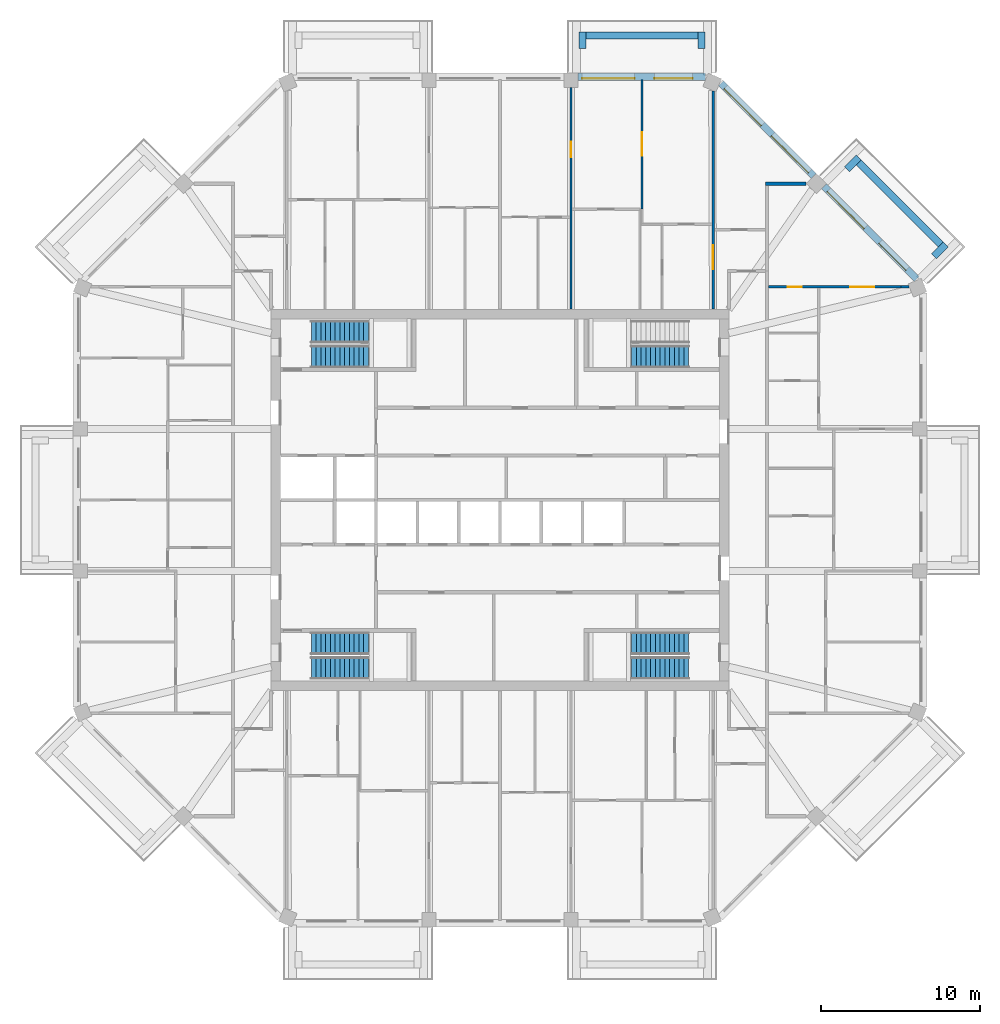
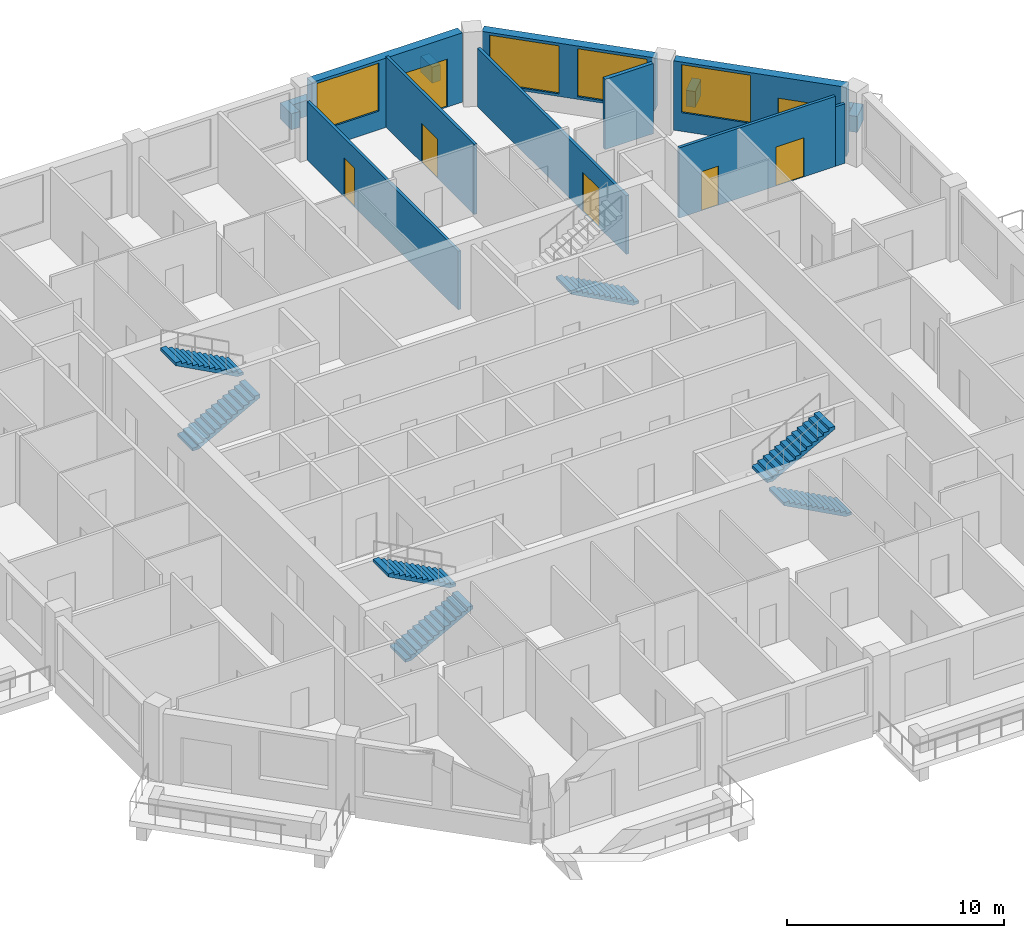
# One storey, part 10 of 13: 15 walls, 7 doors, 7 stair flights, 4 windows, 11 openings, 4 elements without a shape of their own.
"""IFC4 building model written with IfcOpenShell, lengths in metres."""

from ifc_helpers import new_model, si_unit, direction, frame, frame_2d, origin, place, context, subcontext, project, spatial, polyline, rectangle, outline, extrude, material, layer, layer_set, type_object, element, fill, aggregate, save


model = new_model("IFC4")

# Units and contexts
model_context = context("Model", 3, precision=1e-05, world=origin(), true_north=direction((0.0, 1.0)))
body_context = subcontext(model_context, "Body", "Model", "MODEL_VIEW")
ifc_project = project(units=[si_unit("LENGTHUNIT", "METRE"), si_unit("AREAUNIT", "SQUARE_METRE"), si_unit("VOLUMEUNIT", "CUBIC_METRE"), si_unit("PLANEANGLEUNIT", "RADIAN"), si_unit("MASSUNIT", "GRAM", prefix="KILO")], contexts=[model_context])

# Site, building, storey
site_placement = place(None, origin())
site = spatial("IfcSite", under=ifc_project, at=site_placement, CompositionType="ELEMENT")
building_placement = place(site_placement, origin())
building = spatial("IfcBuilding", under=site, at=building_placement, Name="Msitu Wima Residences", CompositionType="ELEMENT")
storey_placement = place(building_placement, frame((0.0, 0.0, 289.5)))
storey = spatial("IfcBuildingStorey", under=building, at=storey_placement, Name="L67", CompositionType="ELEMENT", Elevation=289.5)

# Walls
ifc_material_1 = material(Name="Facing brick")
ifc_layer_1 = layer(ifc_material_1, 0.06494140625, Name="Facing brick")
ifc_material_2 = material(Name="Concrete C40/50", Category="concrete")
ifc_layer_2 = layer(ifc_material_2, 0.156005859375, Name="Concrete C40/50")
ifc_material_3 = material(Name="Waterproofing membrane")
ifc_layer_3 = layer(ifc_material_3, 0.00390625, Name="Waterproofing membrane")
ifc_material_4 = material(Name="Planting soil and planting")
ifc_layer_4 = layer(ifc_material_4, 0.22509765625, Name="Planting soil and planting")
ifc_layer_set_1 = layer_set([ifc_layer_1, ifc_layer_2, ifc_layer_3, ifc_layer_4], Name="Concrete C40/50")
wall_type_1 = type_object("IfcWallType", Name="Balcony planter PLANTER PL450", PredefinedType="USERDEFINED", material=ifc_layer_set_1)
wall_1_placement = place(storey_placement, frame((27.725830078125, 16.0751953125, 0.0), z_axis=(0.0, 0.0, 1.0), x_axis=(-0.707106781187, 0.707106781187, 0.0)))
element("IfcWall", 1, at=wall_1_placement, inside=storey, type_object=wall_type_1, Name="Balcony planter NE0 L67", ObjectType="PLANTER", PredefinedType="USERDEFINED", context=body_context, shape_type="SweptSolid", body=[
    extrude(rectangle(XDim=7.288330078125, YDim=0.449951171875, at=frame_2d((3.64404296875, 0.0))), origin(), (0.0, 0.0, 1.0), 0.89990234375),
])
for number, where, z_axis, x_axis, name in (
    (2, (27.301513671875, 15.332763671875, 0.0), (0.0, 0.0, 1.0), (0.707106781187, 0.707106781187, 0.0), "Balcony planter NE0 L67"),
    (3, (21.829833984375, 20.804443359375, 0.0), (0.0, 0.0, 1.0), (0.707106781187, 0.707106781187, 0.0), "Balcony planter NE0 L67"),
):
    element("IfcWall", number, at=place(storey_placement, frame(where, z_axis=z_axis, x_axis=x_axis)), inside=storey, type_object=wall_type_1, Name=name, ObjectType="PLANTER", PredefinedType="USERDEFINED", context=body_context, shape_type="SweptSolid", body=[
        extrude(rectangle(XDim=1.050048828125, YDim=0.449951171875, at=frame_2d((0.52490234375, 0.0))), origin(), (0.0, 0.0, 1.0), 0.89990234375),
    ])
wall_2_placement = place(storey_placement, frame((12.455810546875, 29.22509765625, 0.0), z_axis=(0.0, 0.0, 1.0), x_axis=(-1.0, 0.0, 0.0)))
element("IfcWall", 4, at=wall_2_placement, inside=storey, type_object=wall_type_1, Name="Balcony planter N0 L67", ObjectType="PLANTER", PredefinedType="USERDEFINED", context=body_context, shape_type="SweptSolid", body=[
    extrude(rectangle(XDim=7.037109375, YDim=0.449951171875, at=frame_2d((3.5185546875, 0.0))), origin(), (0.0, 0.0, 1.0), 0.89990234375),
])
for number, where, z_axis, x_axis, name in (
    (5, (12.680908203125, 28.39990234375, 0.0), (0.0, 0.0, 1.0), (0.0, 1.0, 0.0), "Balcony planter N0 L67"),
    (6, (5.193603515625, 28.39990234375, 0.0), (0.0, 0.0, 1.0), (0.0, 1.0, 0.0), "Balcony planter N0 L67"),
):
    element("IfcWall", number, at=place(storey_placement, frame(where, z_axis=z_axis, x_axis=x_axis)), inside=storey, type_object=wall_type_1, Name=name, ObjectType="PLANTER", PredefinedType="USERDEFINED", context=body_context, shape_type="SweptSolid", body=[
        extrude(rectangle(XDim=1.050048828125, YDim=0.449951171875, at=frame_2d((0.52490234375, 0.0))), origin(), (0.0, 0.0, 1.0), 0.89990234375),
    ])

# Wall, openings, door, window
ifc_material_5 = material(Name="Brick (red buff mix)", Category="masonry")
ifc_layer_5 = layer(ifc_material_5, 0.449951171875)
ifc_layer_set_2 = layer_set([ifc_layer_5], Name="Brick (red buff mix)")
wall_type_2 = type_object("IfcWallType", Name="Brick infill wall BW450", PredefinedType="SOLIDWALL", material=ifc_layer_set_2)
wall_3_placement = place(storey_placement, frame((26.214599609375, 13.909423828125, 0.0), z_axis=(0.0, 0.0, 1.0), x_axis=(-0.707106781187, 0.707106781187, 0.0)))
wall_3 = element("IfcWall", 7, at=wall_3_placement, inside=storey, type_object=wall_type_2, Name="Brick infill wall L67 NE0", PredefinedType="SOLIDWALL", context=body_context, shape_type="SweptSolid", body=[
    extrude(rectangle(XDim=8.251220703125, YDim=0.449951171875, at=frame_2d((4.12548828125, 0.0))), origin(), (0.0, 0.0, 1.0), 3.89990234375),
])
opening_1_placement = place(wall_3_placement, frame((0.86279296875, 0.0, 0.0)))
opening_1 = element("IfcOpeningElement", 8, at=opening_1_placement, cuts=wall_3, Name="Opening D65-67.004", PredefinedType="OPENING", context=body_context, shape_type="SweptSolid", body=[
    extrude(rectangle(XDim=2.39990234375, YDim=2.699951171875, at=frame_2d((1.199951171875, 1.35009765625))), frame((0.0, 0.23486328125, 0.0), z_axis=(0.0, -1.0, 0.0), x_axis=(1.0, 0.0, 0.0)), (0.0, 0.0, 1.0), 0.469970703125),
])
opening_2_placement = place(wall_3_placement, frame((4.57568359375, 0.0, 1.050048828125)))
opening_2 = element("IfcOpeningElement", 9, at=opening_2_placement, cuts=wall_3, Name="Opening W65-67.010", PredefinedType="OPENING", context=body_context, shape_type="SweptSolid", body=[
    extrude(rectangle(XDim=3.300048828125, YDim=2.699951171875, at=frame_2d((1.64990234375, 1.35009765625))), frame((0.0, 0.23486328125, 0.0), z_axis=(0.0, -1.0, 0.0), x_axis=(1.0, 0.0, 0.0)), (0.0, 0.0, 1.0), 0.469970703125),
])
ifc_material_6 = material(Name="Anodised aluminium, bronze finish, clear low-emissivity double glazing", Category="aluminium")
door_type_1 = type_object("IfcDoorType", Name="Balcony door D2400x2700", OperationType="SLIDING_TO_LEFT", PredefinedType="DOOR", material=ifc_material_6)
door_1_placement = place(opening_1_placement, origin())
door_1 = element("IfcDoor", 10, at=door_1_placement, inside=storey, type_object=door_type_1, Name="Balcony door L67 NE0", OperationType="SINGLE_SWING_LEFT", OverallHeight=2.699951171875, OverallWidth=2.39990234375, PredefinedType="DOOR", context=body_context, shape_type="SweptSolid", body=[
    extrude(rectangle(XDim=2.39990234375, YDim=2.699951171875, at=frame_2d((1.199951171875, 1.35009765625))), frame((0.0, 0.1298828125, 0.0), z_axis=(0.0, -1.0, 0.0), x_axis=(1.0, 0.0, 0.0)), (0.0, 0.0, 1.0), 0.050048828125),
])
fill(opening_1, door_1)
window_type = type_object("IfcWindowType", Name="Window W3300x2700", PartitioningType="DOUBLE_PANEL_VERTICAL", PredefinedType="WINDOW", material=ifc_material_6)
window_1_placement = place(opening_2_placement, origin())
window_1 = element("IfcWindow", 11, at=window_1_placement, inside=storey, type_object=window_type, Name="Window L67 NE0.2", OverallHeight=2.699951171875, OverallWidth=3.300048828125, PartitioningType="SINGLE_PANEL", PredefinedType="WINDOW", context=body_context, shape_type="SweptSolid", body=[
    extrude(rectangle(XDim=3.300048828125, YDim=2.699951171875, at=frame_2d((1.64990234375, 1.35009765625))), frame((0.0, 0.135009765625, 0.0), z_axis=(0.0, -1.0, 0.0), x_axis=(1.0, 0.0, 0.0)), (0.0, 0.0, 1.0), 0.06005859375),
])
fill(opening_2, window_1)

# Wall, openings, windows
wall_4_placement = place(storey_placement, frame((19.743896484375, 20.380126953125, 0.89990234375), z_axis=(0.0, 0.0, 1.0), x_axis=(-0.707106781187, 0.707106781187, 0.0)))
wall_4 = element("IfcWall", 12, at=wall_4_placement, inside=storey, type_object=wall_type_2, Name="Brick infill wall L67 NE1", PredefinedType="SOLIDWALL", context=body_context, shape_type="SweptSolid", body=[
    extrude(rectangle(XDim=8.251220703125, YDim=0.449951171875, at=frame_2d((4.12548828125, 0.0))), origin(), (0.0, 0.0, 1.0), 3.0),
])
opening_3_placement = place(wall_4_placement, frame((0.37548828125, 0.0, 0.14990234375)))
opening_3 = element("IfcOpeningElement", 13, at=opening_3_placement, cuts=wall_4, Name="Opening W65-67.011", PredefinedType="OPENING", context=body_context, shape_type="SweptSolid", body=[
    extrude(rectangle(XDim=3.300048828125, YDim=2.699951171875, at=frame_2d((1.64990234375, 1.35009765625))), frame((0.0, 0.23486328125, 0.0), z_axis=(0.0, -1.0, 0.0), x_axis=(1.0, 0.0, 0.0)), (0.0, 0.0, 1.0), 0.469970703125),
])
opening_4_placement = place(wall_4_placement, frame((4.57568359375, 0.0, 0.14990234375)))
opening_4 = element("IfcOpeningElement", 14, at=opening_4_placement, cuts=wall_4, Name="Opening W65-67.012", PredefinedType="OPENING", context=body_context, shape_type="SweptSolid", body=[
    extrude(rectangle(XDim=3.300048828125, YDim=2.699951171875, at=frame_2d((1.64990234375, 1.35009765625))), frame((0.0, 0.23486328125, 0.0), z_axis=(0.0, -1.0, 0.0), x_axis=(1.0, 0.0, 0.0)), (0.0, 0.0, 1.0), 0.469970703125),
])
window_2_placement = place(opening_3_placement, origin())
window_2 = element("IfcWindow", 15, at=window_2_placement, inside=storey, type_object=window_type, Name="Window L67 NE1.1", OverallHeight=2.699951171875, OverallWidth=3.300048828125, PartitioningType="SINGLE_PANEL", PredefinedType="WINDOW", context=body_context, shape_type="SweptSolid", body=[
    extrude(rectangle(XDim=3.300048828125, YDim=2.699951171875, at=frame_2d((1.64990234375, 1.35009765625))), frame((0.0, 0.135009765625, 0.0), z_axis=(0.0, -1.0, 0.0), x_axis=(1.0, 0.0, 0.0)), (0.0, 0.0, 1.0), 0.06005859375),
])
fill(opening_3, window_2)
window_3_placement = place(opening_4_placement, origin())
window_3 = element("IfcWindow", 16, at=window_3_placement, inside=storey, type_object=window_type, Name="Window L67 NE1.2", OverallHeight=2.699951171875, OverallWidth=3.300048828125, PartitioningType="SINGLE_PANEL", PredefinedType="WINDOW", context=body_context, shape_type="SweptSolid", body=[
    extrude(rectangle(XDim=3.300048828125, YDim=2.699951171875, at=frame_2d((1.64990234375, 1.35009765625))), frame((0.0, 0.135009765625, 0.0), z_axis=(0.0, -1.0, 0.0), x_axis=(1.0, 0.0, 0.0)), (0.0, 0.0, 1.0), 0.06005859375),
])
fill(opening_4, window_3)

# Wall, openings, door, window
wall_5_placement = place(storey_placement, frame((12.918701171875, 26.625, 0.0), z_axis=(0.0, 0.0, 1.0), x_axis=(-1.0, 0.0, 0.0)))
wall_5 = element("IfcWall", 17, at=wall_5_placement, inside=storey, type_object=wall_type_2, Name="Brick infill wall L67 N0", PredefinedType="SOLIDWALL", context=body_context, shape_type="SweptSolid", body=[
    extrude(rectangle(XDim=8.0, YDim=0.449951171875, at=frame_2d((4.0, 0.0))), origin(), (0.0, 0.0, 1.0), 3.89990234375),
])
opening_5_placement = place(wall_5_placement, frame((0.800048828125, 0.0, 0.0)))
opening_5 = element("IfcOpeningElement", 18, at=opening_5_placement, cuts=wall_5, Name="Opening D65-67.002", PredefinedType="OPENING", context=body_context, shape_type="SweptSolid", body=[
    extrude(rectangle(XDim=2.39990234375, YDim=2.699951171875, at=frame_2d((1.199951171875, 1.35009765625))), frame((0.0, 0.23486328125, 0.0), z_axis=(0.0, -1.0, 0.0), x_axis=(1.0, 0.0, 0.0)), (0.0, 0.0, 1.0), 0.469970703125),
])
opening_6_placement = place(wall_5_placement, frame((4.4501953125, 0.0, 1.050048828125)))
opening_6 = element("IfcOpeningElement", 19, at=opening_6_placement, cuts=wall_5, Name="Opening W65-67.006", PredefinedType="OPENING", context=body_context, shape_type="SweptSolid", body=[
    extrude(rectangle(XDim=3.300048828125, YDim=2.699951171875, at=frame_2d((1.64990234375, 1.35009765625))), frame((0.0, 0.23486328125, 0.0), z_axis=(0.0, -1.0, 0.0), x_axis=(1.0, 0.0, 0.0)), (0.0, 0.0, 1.0), 0.469970703125),
])
door_2_placement = place(opening_5_placement, origin())
door_2 = element("IfcDoor", 20, at=door_2_placement, inside=storey, type_object=door_type_1, Name="Balcony door L67 N0", OperationType="SINGLE_SWING_LEFT", OverallHeight=2.699951171875, OverallWidth=2.39990234375, PredefinedType="DOOR", context=body_context, shape_type="SweptSolid", body=[
    extrude(rectangle(XDim=2.39990234375, YDim=2.699951171875, at=frame_2d((1.199951171875, 1.35009765625))), frame((0.0, 0.1298828125, 0.0), z_axis=(0.0, -1.0, 0.0), x_axis=(1.0, 0.0, 0.0)), (0.0, 0.0, 1.0), 0.050048828125),
])
fill(opening_5, door_2)
window_4_placement = place(opening_6_placement, origin())
window_4 = element("IfcWindow", 21, at=window_4_placement, inside=storey, type_object=window_type, Name="Window L67 N0.2", OverallHeight=2.699951171875, OverallWidth=3.300048828125, PartitioningType="SINGLE_PANEL", PredefinedType="WINDOW", context=body_context, shape_type="SweptSolid", body=[
    extrude(rectangle(XDim=3.300048828125, YDim=2.699951171875, at=frame_2d((1.64990234375, 1.35009765625))), frame((0.0, 0.135009765625, 0.0), z_axis=(0.0, -1.0, 0.0), x_axis=(1.0, 0.0, 0.0)), (0.0, 0.0, 1.0), 0.06005859375),
])
fill(opening_6, window_4)

# Wall, opening, door
ifc_material_7 = material(Name="Plaster")
ifc_layer_6 = layer(ifc_material_7, 0.011962890625, Name="Plaster")
ifc_material_8 = material(Name="Concrete blockwork", Category="masonry")
ifc_layer_7 = layer(ifc_material_8, 0.1259765625, Name="Concrete blockwork")
ifc_layer_8 = layer(ifc_material_7, 0.011962890625, Name="Plaster")
ifc_layer_set_3 = layer_set([ifc_layer_6, ifc_layer_7, ifc_layer_8], Name="Concrete blockwork")
wall_type_3 = type_object("IfcWallType", Name="Partition PW150", PredefinedType="PARTITIONING", material=ifc_layer_set_3)
wall_6_placement = place(storey_placement, frame((4.46875, 12.030029296875, 0.0), z_axis=(0.0, 0.0, 1.0), x_axis=(0.0, 1.0, 0.0)))
wall_6 = element("IfcWall", 22, at=wall_6_placement, inside=storey, type_object=wall_type_3, Name="Partition", PredefinedType="PARTITIONING", context=body_context, shape_type="SweptSolid", body=[
    extrude(rectangle(XDim=13.919921875, YDim=0.14990234375, at=frame_2d((6.9599609375, 0.0))), origin(), (0.0, 0.0, 1.0), 3.300048828125),
])
opening_7_placement = place(wall_6_placement, frame((9.550048828125, 0.0, 0.0)))
opening_7 = element("IfcOpeningElement", 23, at=opening_7_placement, cuts=wall_6, Name="Opening D65-67.029", PredefinedType="OPENING", context=body_context, shape_type="SweptSolid", body=[
    extrude(rectangle(XDim=0.949951171875, YDim=2.199951171875, at=frame_2d((0.47509765625, 1.10009765625))), frame((0.0, 0.0849609375, 0.0), z_axis=(0.0, -1.0, 0.0), x_axis=(1.0, 0.0, 0.0)), (0.0, 0.0, 1.0), 0.169921875),
])
ifc_material_9 = material(Name="Timber flush door", Category="wood")
door_type_2 = type_object("IfcDoorType", Name="Room door D12 950x2200", OperationType="SINGLE_SWING_LEFT", PredefinedType="DOOR", material=ifc_material_9)
door_3_placement = place(opening_7_placement, origin())
door_3 = element("IfcDoor", 24, at=door_3_placement, inside=storey, type_object=door_type_2, Name="Room door", OperationType="SINGLE_SWING_RIGHT", OverallHeight=2.199951171875, OverallWidth=0.949951171875, PredefinedType="DOOR", context=body_context, shape_type="SweptSolid", body=[
    extrude(rectangle(XDim=0.949951171875, YDim=2.199951171875, at=frame_2d((0.47509765625, 1.10009765625))), frame((0.0, 0.02490234375, 0.0), z_axis=(0.0, -1.0, 0.0), x_axis=(1.0, 0.0, 0.0)), (0.0, 0.0, 1.0), 0.050048828125),
])
fill(opening_7, door_3)

wall_7_placement = place(storey_placement, frame((8.937255859375, 18.300048828125, 0.0), z_axis=(0.0, 0.0, 1.0), x_axis=(0.0, 1.0, 0.0)))
wall_7 = element("IfcWall", 25, at=wall_7_placement, inside=storey, type_object=wall_type_3, Name="Partition", PredefinedType="PARTITIONING", context=body_context, shape_type="SweptSolid", body=[
    extrude(rectangle(XDim=8.155029296875, YDim=0.14990234375, at=frame_2d((4.07763671875, 0.0))), origin(), (0.0, 0.0, 1.0), 3.949951171875),
])
opening_8_placement = place(wall_7_placement, frame((3.35009765625, 0.0, 0.0)))
opening_8 = element("IfcOpeningElement", 26, at=opening_8_placement, cuts=wall_7, Name="Opening D65-67.027", PredefinedType="OPENING", context=body_context, shape_type="SweptSolid", body=[
    extrude(rectangle(XDim=1.5, YDim=2.199951171875, at=frame_2d((0.75, 1.10009765625))), frame((0.0, 0.0849609375, 0.0), z_axis=(0.0, -1.0, 0.0), x_axis=(1.0, 0.0, 0.0)), (0.0, 0.0, 1.0), 0.169921875),
])
ifc_material_10 = material(Name="Timber double door", Category="wood")
door_type_3 = type_object("IfcDoorType", Name="Double door D04 1500x2200", OperationType="DOUBLE_DOOR_SINGLE_SWING", PredefinedType="DOOR", material=ifc_material_10)
door_4_placement = place(opening_8_placement, origin())
door_4 = element("IfcDoor", 27, at=door_4_placement, inside=storey, type_object=door_type_3, Name="Double door", OperationType="DOUBLE_DOOR_SINGLE_SWING", OverallHeight=2.199951171875, OverallWidth=1.5, PredefinedType="DOOR", context=body_context, shape_type="SweptSolid", body=[
    extrude(rectangle(XDim=1.5, YDim=2.199951171875, at=frame_2d((0.75, 1.10009765625))), frame((0.0, 0.02490234375, 0.0), z_axis=(0.0, -1.0, 0.0), x_axis=(1.0, 0.0, 0.0)), (0.0, 0.0, 1.0), 0.050048828125),
])
fill(opening_8, door_4)

wall_8_placement = place(storey_placement, frame((13.406005859375, 12.030029296875, 0.0), z_axis=(0.0, 0.0, 1.0), x_axis=(0.0, 1.0, 0.0)))
wall_8 = element("IfcWall", 28, at=wall_8_placement, inside=storey, type_object=wall_type_3, Name="Partition", PredefinedType="PARTITIONING", context=body_context, shape_type="SweptSolid", body=[
    extrude(rectangle(XDim=13.701171875, YDim=0.14990234375, at=frame_2d((6.8505859375, 0.0))), origin(), (0.0, 0.0, 1.0), 3.300048828125),
])
opening_9_placement = place(wall_8_placement, frame((2.5, 0.0, 0.0)))
opening_9 = element("IfcOpeningElement", 29, at=opening_9_placement, cuts=wall_8, Name="Opening D65-67.023", PredefinedType="OPENING", context=body_context, shape_type="SweptSolid", body=[
    extrude(rectangle(XDim=1.5, YDim=2.199951171875, at=frame_2d((0.75, 1.10009765625))), frame((0.0, 0.0849609375, 0.0), z_axis=(0.0, -1.0, 0.0), x_axis=(1.0, 0.0, 0.0)), (0.0, 0.0, 1.0), 0.169921875),
])
door_5_placement = place(opening_9_placement, origin())
door_5 = element("IfcDoor", 30, at=door_5_placement, inside=storey, type_object=door_type_3, Name="Double door", OperationType="DOUBLE_DOOR_SINGLE_SWING", OverallHeight=2.199951171875, OverallWidth=1.5, PredefinedType="DOOR", context=body_context, shape_type="SweptSolid", body=[
    extrude(rectangle(XDim=1.5, YDim=2.199951171875, at=frame_2d((0.75, 1.10009765625))), frame((0.0, 0.02490234375, 0.0), z_axis=(0.0, -1.0, 0.0), x_axis=(1.0, 0.0, 0.0)), (0.0, 0.0, 1.0), 0.050048828125),
])
fill(opening_9, door_5)

# Wall, openings, doors
wall_9_placement = place(storey_placement, frame((16.89990234375, 13.406005859375, 0.0), z_axis=(0.0, 0.0, 1.0), x_axis=(1.0, 0.0, 0.0)))
wall_9 = element("IfcWall", 31, at=wall_9_placement, inside=storey, type_object=wall_type_3, Name="Partition", PredefinedType="PARTITIONING", context=body_context, shape_type="SweptSolid", body=[
    extrude(rectangle(XDim=8.32421875, YDim=0.14990234375, at=frame_2d((4.162109375, 0.0))), origin(), (0.0, 0.0, 1.0), 3.949951171875),
])
opening_10_placement = place(wall_9_placement, frame((5.14990234375, 0.0, 0.0)))
opening_10 = element("IfcOpeningElement", 32, at=opening_10_placement, cuts=wall_9, Name="Opening D65-67.019", PredefinedType="OPENING", context=body_context, shape_type="SweptSolid", body=[
    extrude(rectangle(XDim=1.5, YDim=2.199951171875, at=frame_2d((0.75, 1.10009765625))), frame((0.0, 0.0849609375, 0.0), z_axis=(0.0, -1.0, 0.0), x_axis=(1.0, 0.0, 0.0)), (0.0, 0.0, 1.0), 0.169921875),
])
opening_11_placement = place(wall_9_placement, frame((1.199951171875, 0.0, 0.0)))
opening_11 = element("IfcOpeningElement", 33, at=opening_11_placement, cuts=wall_9, Name="Opening D65-67.013", PredefinedType="OPENING", context=body_context, shape_type="SweptSolid", body=[
    extrude(rectangle(XDim=0.89990234375, YDim=2.199951171875, at=frame_2d((0.449951171875, 1.10009765625))), frame((0.0, 0.0849609375, 0.0), z_axis=(0.0, -1.0, 0.0), x_axis=(1.0, 0.0, 0.0)), (0.0, 0.0, 1.0), 0.169921875),
])
door_6_placement = place(opening_10_placement, origin())
door_6 = element("IfcDoor", 34, at=door_6_placement, inside=storey, type_object=door_type_3, Name="Double door", OperationType="DOUBLE_DOOR_SINGLE_SWING", OverallHeight=2.199951171875, OverallWidth=1.5, PredefinedType="DOOR", context=body_context, shape_type="SweptSolid", body=[
    extrude(rectangle(XDim=1.5, YDim=2.199951171875, at=frame_2d((0.75, 1.10009765625))), frame((0.0, 0.02490234375, 0.0), z_axis=(0.0, -1.0, 0.0), x_axis=(1.0, 0.0, 0.0)), (0.0, 0.0, 1.0), 0.050048828125),
])
fill(opening_10, door_6)
door_type_4 = type_object("IfcDoorType", Name="Service door D05 900x2200", OperationType="SINGLE_SWING_LEFT", PredefinedType="DOOR", material=ifc_material_9)
door_7_placement = place(opening_11_placement, origin())
door_7 = element("IfcDoor", 35, at=door_7_placement, inside=storey, type_object=door_type_4, Name="Service door", OperationType="SINGLE_SWING_LEFT", OverallHeight=2.199951171875, OverallWidth=0.89990234375, PredefinedType="DOOR", context=body_context, shape_type="SweptSolid", body=[
    extrude(rectangle(XDim=0.89990234375, YDim=2.199951171875, at=frame_2d((0.449951171875, 1.10009765625))), frame((0.0, 0.02490234375, 0.0), z_axis=(0.0, -1.0, 0.0), x_axis=(1.0, 0.0, 0.0)), (0.0, 0.0, 1.0), 0.050048828125),
])
fill(opening_11, door_7)

# Walls
wall_10_placement = place(storey_placement, frame((25.22412109375, 13.406005859375, 0.0), z_axis=(0.0, 0.0, 1.0), x_axis=(1.0, 0.0, 0.0)))
element("IfcWall", 36, at=wall_10_placement, inside=storey, type_object=wall_type_3, Name="Partition", PredefinedType="PARTITIONING", context=body_context, shape_type="SweptSolid", body=[
    extrude(rectangle(XDim=0.507080078125, YDim=0.14990234375, at=frame_2d((0.25341796875, 0.0))), origin(), (0.0, 0.0, 1.0), 3.35009765625),
])
ifc_layer_9 = layer(ifc_material_7, 0.011962890625, Name="Plaster")
ifc_material_11 = material(Name="Dense concrete blockwork", Category="masonry")
ifc_layer_10 = layer(ifc_material_11, 0.176025390625, Name="Dense concrete blockwork")
ifc_layer_11 = layer(ifc_material_7, 0.011962890625, Name="Plaster")
ifc_layer_set_4 = layer_set([ifc_layer_9, ifc_layer_10, ifc_layer_11], Name="Dense concrete blockwork")
wall_type_4 = type_object("IfcWallType", Name="Party wall PW200", PredefinedType="PARTITIONING", material=ifc_layer_set_4)
wall_11_placement = place(storey_placement, frame((16.699951171875, 19.90283203125, 0.0), z_axis=(0.0, 0.0, 1.0), x_axis=(1.0, 0.0, 0.0)))
element("IfcWall", 37, at=wall_11_placement, inside=storey, type_object=wall_type_4, Name="Party wall", PredefinedType="PARTITIONING", context=body_context, shape_type="SweptSolid", body=[
    extrude(rectangle(XDim=2.566650390625, YDim=0.199951171875, at=frame_2d((1.283203125, 0.0))), origin(), (0.0, 0.0, 1.0), 3.949951171875),
])

# Stair, stair flights
stair_type = type_object("IfcStairType", Name="Exit stair ES1615-140", PredefinedType="HALF_TURN_STAIR", material=ifc_material_2)
stair_1_placement = place(storey_placement, origin())
stair_1 = element("IfcStair", 38, at=stair_1_placement, inside=storey, type_object=stair_type, Name="Exit stair 1", PredefinedType="HALF_TURN_STAIR")
stair_flight_type = type_object("IfcStairFlightType", Name="Exit stair flight ES1615-140", PredefinedType="STRAIGHT", material=ifc_material_2)
stair_flight_1_placement = place(storey_placement, frame((-11.875, 9.02490234375, 0.0), z_axis=(0.0, 0.0, 1.0), x_axis=(1.0, 0.0, 0.0)))
stair_flight_1 = element("IfcStairFlight", 39, at=stair_flight_1_placement, type_object=stair_flight_type, Name="S1 flight 1", NumberOfRisers=13, NumberOfTreads=12, PredefinedType="STRAIGHT", RiserHeight=0.161538462, TreadLength=0.3, context=body_context, shape_type="SweptSolid", body=[
    extrude(outline(polyline([(0.0, 0.0), (0.0, 0.16162109375), (0.300048828125, 0.16162109375), (0.300048828125, 0.322998046875), (0.60009765625, 0.322998046875), (0.60009765625, 0.484619140625), (0.89990234375, 0.484619140625), (0.89990234375, 0.646240234375), (1.199951171875, 0.646240234375), (1.199951171875, 0.8076171875), (1.5, 0.8076171875), (1.5, 0.96923828125), (1.800048828125, 0.96923828125), (1.800048828125, 1.130859375), (2.10009765625, 1.130859375), (2.10009765625, 1.292236328125), (2.39990234375, 1.292236328125), (2.39990234375, 1.453857421875), (2.699951171875, 1.453857421875), (2.699951171875, 1.615478515625), (3.0, 1.615478515625), (3.0, 1.77685546875), (3.300048828125, 1.77685546875), (3.300048828125, 1.9384765625), (3.60009765625, 1.9384765625), (3.60009765625, 2.10009765625), (3.60009765625, 1.768310546875), (0.316162109375, 0.0), (0.0, 0.0)])), frame((0.0, 0.699951171875, 0.0), z_axis=(0.0, -1.0, 0.0), x_axis=(1.0, 0.0, 0.0)), (0.0, 0.0, 1.0), 1.39990234375),
])
stair_flight_2_placement = place(storey_placement, frame((-8.27490234375, 10.574951171875, 2.10009765625), z_axis=(0.0, 0.0, 1.0), x_axis=(-1.0, 0.0, 0.0)))
stair_flight_2 = element("IfcStairFlight", 40, at=stair_flight_2_placement, type_object=stair_flight_type, Name="S1 flight 2", NumberOfRisers=13, NumberOfTreads=12, PredefinedType="STRAIGHT", RiserHeight=0.161538462, TreadLength=0.3, context=body_context, shape_type="SweptSolid", body=[
    extrude(outline(polyline([(0.0, 0.0), (0.0, 0.16162109375), (0.300048828125, 0.16162109375), (0.300048828125, 0.322998046875), (0.60009765625, 0.322998046875), (0.60009765625, 0.484619140625), (0.89990234375, 0.484619140625), (0.89990234375, 0.646240234375), (1.199951171875, 0.646240234375), (1.199951171875, 0.8076171875), (1.5, 0.8076171875), (1.5, 0.96923828125), (1.800048828125, 0.96923828125), (1.800048828125, 1.130859375), (2.10009765625, 1.130859375), (2.10009765625, 1.292236328125), (2.39990234375, 1.292236328125), (2.39990234375, 1.453857421875), (2.699951171875, 1.453857421875), (2.699951171875, 1.615478515625), (3.0, 1.615478515625), (3.0, 1.77685546875), (3.300048828125, 1.77685546875), (3.300048828125, 1.9384765625), (3.60009765625, 1.9384765625), (3.60009765625, 2.10009765625), (3.60009765625, 1.768310546875), (0.316162109375, 0.0), (0.0, 0.0)])), frame((0.0, 0.699951171875, 0.0), z_axis=(0.0, -1.0, 0.0), x_axis=(1.0, 0.0, 0.0)), (0.0, 0.0, 1.0), 1.39990234375),
])
aggregate(stair_1, [stair_flight_1, stair_flight_2])

stair_2_placement = place(storey_placement, origin())
stair_2 = element("IfcStair", 41, at=stair_2_placement, inside=storey, type_object=stair_type, Name="Exit stair 2", PredefinedType="HALF_TURN_STAIR")
stair_flight_3_placement = place(storey_placement, frame((-11.875, -10.574951171875, 0.0), z_axis=(0.0, 0.0, 1.0), x_axis=(1.0, 0.0, 0.0)))
stair_flight_3 = element("IfcStairFlight", 42, at=stair_flight_3_placement, type_object=stair_flight_type, Name="S2 flight 1", NumberOfRisers=13, NumberOfTreads=12, PredefinedType="STRAIGHT", RiserHeight=0.161538462, TreadLength=0.3, context=body_context, shape_type="SweptSolid", body=[
    extrude(outline(polyline([(0.0, 0.0), (0.0, 0.16162109375), (0.300048828125, 0.16162109375), (0.300048828125, 0.322998046875), (0.60009765625, 0.322998046875), (0.60009765625, 0.484619140625), (0.89990234375, 0.484619140625), (0.89990234375, 0.646240234375), (1.199951171875, 0.646240234375), (1.199951171875, 0.8076171875), (1.5, 0.8076171875), (1.5, 0.96923828125), (1.800048828125, 0.96923828125), (1.800048828125, 1.130859375), (2.10009765625, 1.130859375), (2.10009765625, 1.292236328125), (2.39990234375, 1.292236328125), (2.39990234375, 1.453857421875), (2.699951171875, 1.453857421875), (2.699951171875, 1.615478515625), (3.0, 1.615478515625), (3.0, 1.77685546875), (3.300048828125, 1.77685546875), (3.300048828125, 1.9384765625), (3.60009765625, 1.9384765625), (3.60009765625, 2.10009765625), (3.60009765625, 1.768310546875), (0.316162109375, 0.0), (0.0, 0.0)])), frame((0.0, 0.699951171875, 0.0), z_axis=(0.0, -1.0, 0.0), x_axis=(1.0, 0.0, 0.0)), (0.0, 0.0, 1.0), 1.39990234375),
])
stair_flight_4_placement = place(storey_placement, frame((-8.27490234375, -9.02490234375, 2.10009765625), z_axis=(0.0, 0.0, 1.0), x_axis=(-1.0, 0.0, 0.0)))
stair_flight_4 = element("IfcStairFlight", 43, at=stair_flight_4_placement, type_object=stair_flight_type, Name="S2 flight 2", NumberOfRisers=13, NumberOfTreads=12, PredefinedType="STRAIGHT", RiserHeight=0.161538462, TreadLength=0.3, context=body_context, shape_type="SweptSolid", body=[
    extrude(outline(polyline([(0.0, 0.0), (0.0, 0.16162109375), (0.300048828125, 0.16162109375), (0.300048828125, 0.322998046875), (0.60009765625, 0.322998046875), (0.60009765625, 0.484619140625), (0.89990234375, 0.484619140625), (0.89990234375, 0.646240234375), (1.199951171875, 0.646240234375), (1.199951171875, 0.8076171875), (1.5, 0.8076171875), (1.5, 0.96923828125), (1.800048828125, 0.96923828125), (1.800048828125, 1.130859375), (2.10009765625, 1.130859375), (2.10009765625, 1.292236328125), (2.39990234375, 1.292236328125), (2.39990234375, 1.453857421875), (2.699951171875, 1.453857421875), (2.699951171875, 1.615478515625), (3.0, 1.615478515625), (3.0, 1.77685546875), (3.300048828125, 1.77685546875), (3.300048828125, 1.9384765625), (3.60009765625, 1.9384765625), (3.60009765625, 2.10009765625), (3.60009765625, 1.768310546875), (0.316162109375, 0.0), (0.0, 0.0)])), frame((0.0, 0.699951171875, 0.0), z_axis=(0.0, -1.0, 0.0), x_axis=(1.0, 0.0, 0.0)), (0.0, 0.0, 1.0), 1.39990234375),
])
aggregate(stair_2, [stair_flight_3, stair_flight_4])

# Stair, stair flight
stair_3_placement = place(storey_placement, origin())
stair_3 = element("IfcStair", 44, at=stair_3_placement, inside=storey, type_object=stair_type, Name="Exit stair 3", PredefinedType="HALF_TURN_STAIR")
stair_flight_5_placement = place(storey_placement, frame((11.875, 9.02490234375, 0.0), z_axis=(0.0, 0.0, 1.0), x_axis=(-1.0, 0.0, 0.0)))
stair_flight_5 = element("IfcStairFlight", 45, at=stair_flight_5_placement, type_object=stair_flight_type, Name="S3 flight 1", NumberOfRisers=13, NumberOfTreads=12, PredefinedType="STRAIGHT", RiserHeight=0.161538462, TreadLength=0.3, context=body_context, shape_type="SweptSolid", body=[
    extrude(outline(polyline([(0.0, 0.0), (0.0, 0.16162109375), (0.300048828125, 0.16162109375), (0.300048828125, 0.322998046875), (0.60009765625, 0.322998046875), (0.60009765625, 0.484619140625), (0.89990234375, 0.484619140625), (0.89990234375, 0.646240234375), (1.199951171875, 0.646240234375), (1.199951171875, 0.8076171875), (1.5, 0.8076171875), (1.5, 0.96923828125), (1.800048828125, 0.96923828125), (1.800048828125, 1.130859375), (2.10009765625, 1.130859375), (2.10009765625, 1.292236328125), (2.39990234375, 1.292236328125), (2.39990234375, 1.453857421875), (2.699951171875, 1.453857421875), (2.699951171875, 1.615478515625), (3.0, 1.615478515625), (3.0, 1.77685546875), (3.300048828125, 1.77685546875), (3.300048828125, 1.9384765625), (3.60009765625, 1.9384765625), (3.60009765625, 2.10009765625), (3.60009765625, 1.768310546875), (0.316162109375, 0.0), (0.0, 0.0)])), frame((0.0, 0.699951171875, 0.0), z_axis=(0.0, -1.0, 0.0), x_axis=(1.0, 0.0, 0.0)), (0.0, 0.0, 1.0), 1.39990234375),
])
aggregate(stair_3, [stair_flight_5])

# Stair, stair flights
stair_4_placement = place(storey_placement, origin())
stair_4 = element("IfcStair", 46, at=stair_4_placement, inside=storey, type_object=stair_type, Name="Exit stair 4", PredefinedType="HALF_TURN_STAIR")
stair_flight_6_placement = place(storey_placement, frame((11.875, -10.574951171875, 0.0), z_axis=(0.0, 0.0, 1.0), x_axis=(-1.0, 0.0, 0.0)))
stair_flight_6 = element("IfcStairFlight", 47, at=stair_flight_6_placement, type_object=stair_flight_type, Name="S4 flight 1", NumberOfRisers=13, NumberOfTreads=12, PredefinedType="STRAIGHT", RiserHeight=0.161538462, TreadLength=0.3, context=body_context, shape_type="SweptSolid", body=[
    extrude(outline(polyline([(0.0, 0.0), (0.0, 0.16162109375), (0.300048828125, 0.16162109375), (0.300048828125, 0.322998046875), (0.60009765625, 0.322998046875), (0.60009765625, 0.484619140625), (0.89990234375, 0.484619140625), (0.89990234375, 0.646240234375), (1.199951171875, 0.646240234375), (1.199951171875, 0.8076171875), (1.5, 0.8076171875), (1.5, 0.96923828125), (1.800048828125, 0.96923828125), (1.800048828125, 1.130859375), (2.10009765625, 1.130859375), (2.10009765625, 1.292236328125), (2.39990234375, 1.292236328125), (2.39990234375, 1.453857421875), (2.699951171875, 1.453857421875), (2.699951171875, 1.615478515625), (3.0, 1.615478515625), (3.0, 1.77685546875), (3.300048828125, 1.77685546875), (3.300048828125, 1.9384765625), (3.60009765625, 1.9384765625), (3.60009765625, 2.10009765625), (3.60009765625, 1.768310546875), (0.316162109375, 0.0), (0.0, 0.0)])), frame((0.0, 0.699951171875, 0.0), z_axis=(0.0, -1.0, 0.0), x_axis=(1.0, 0.0, 0.0)), (0.0, 0.0, 1.0), 1.39990234375),
])
stair_flight_7_placement = place(storey_placement, frame((8.27490234375, -9.02490234375, 2.10009765625), z_axis=(0.0, 0.0, 1.0), x_axis=(1.0, 0.0, 0.0)))
stair_flight_7 = element("IfcStairFlight", 48, at=stair_flight_7_placement, type_object=stair_flight_type, Name="S4 flight 2", NumberOfRisers=13, NumberOfTreads=12, PredefinedType="STRAIGHT", RiserHeight=0.161538462, TreadLength=0.3, context=body_context, shape_type="SweptSolid", body=[
    extrude(outline(polyline([(0.0, 0.0), (0.0, 0.16162109375), (0.300048828125, 0.16162109375), (0.300048828125, 0.322998046875), (0.60009765625, 0.322998046875), (0.60009765625, 0.484619140625), (0.89990234375, 0.484619140625), (0.89990234375, 0.646240234375), (1.199951171875, 0.646240234375), (1.199951171875, 0.8076171875), (1.5, 0.8076171875), (1.5, 0.96923828125), (1.800048828125, 0.96923828125), (1.800048828125, 1.130859375), (2.10009765625, 1.130859375), (2.10009765625, 1.292236328125), (2.39990234375, 1.292236328125), (2.39990234375, 1.453857421875), (2.699951171875, 1.453857421875), (2.699951171875, 1.615478515625), (3.0, 1.615478515625), (3.0, 1.77685546875), (3.300048828125, 1.77685546875), (3.300048828125, 1.9384765625), (3.60009765625, 1.9384765625), (3.60009765625, 2.10009765625), (3.60009765625, 1.768310546875), (0.316162109375, 0.0), (0.0, 0.0)])), frame((0.0, 0.699951171875, 0.0), z_axis=(0.0, -1.0, 0.0), x_axis=(1.0, 0.0, 0.0)), (0.0, 0.0, 1.0), 1.39990234375),
])
aggregate(stair_4, [stair_flight_6, stair_flight_7])

save(model, "model.ifc")
